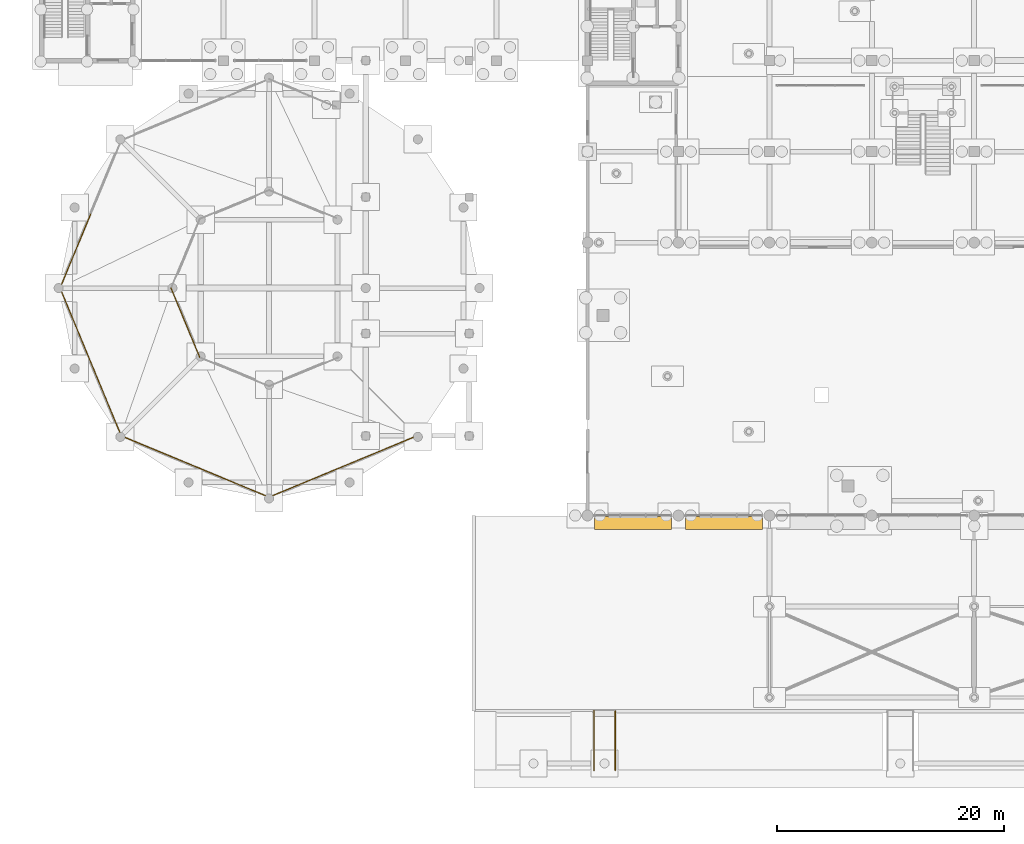
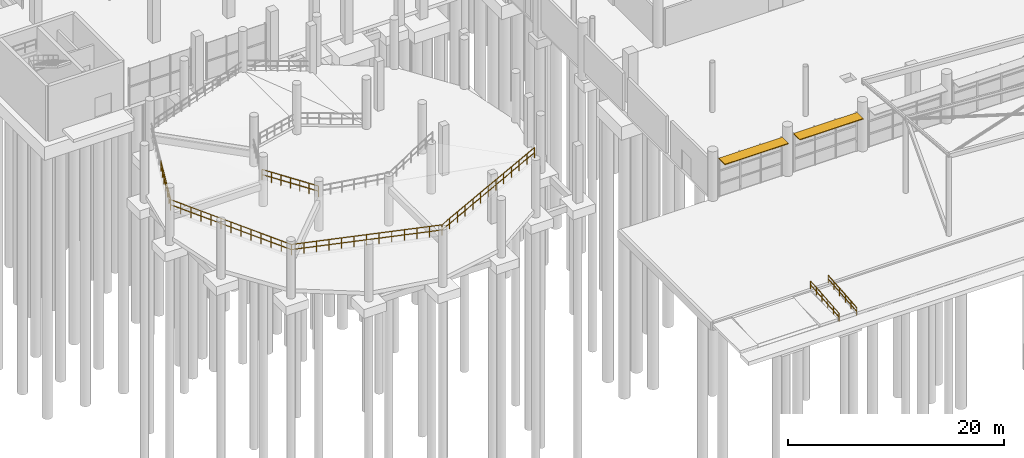
# One storey, part 88 of 98: 11 railings, 2 shading devices.
"""IFC4 building model written with IfcOpenShell, lengths in metres."""

from ifc_helpers import new_model, si_unit, derived_unit, direction, frame, origin, origin_2d, place, context, subcontext, project, spatial, rectangle, circle, extrude, material, material_profile, profile_set, type_object, element, save


model = new_model("IFC4")

# Units and contexts
model_context = context("Model", 3, precision=1e-05, world=origin(), true_north=direction((0.0, 1.0)))
body_context = subcontext(model_context, "Body", "Model", "MODEL_VIEW")
ifc_project = project(units=[si_unit("LENGTHUNIT", "METRE"), si_unit("AREAUNIT", "SQUARE_METRE"), si_unit("VOLUMEUNIT", "CUBIC_METRE"), si_unit("PLANEANGLEUNIT", "RADIAN"), si_unit("MASSUNIT", "GRAM", prefix="KILO"), si_unit("THERMODYNAMICTEMPERATUREUNIT", "KELVIN"), derived_unit("THERMALTRANSMITTANCEUNIT", [(si_unit("POWERUNIT", "WATT"), 1), (si_unit("AREAUNIT", "SQUARE_METRE"), -1), (si_unit("THERMODYNAMICTEMPERATUREUNIT", "KELVIN"), -1)])], contexts=[model_context])

# Site, building, storey
site_placement = place(None, origin())
site = spatial("IfcSite", under=ifc_project, at=site_placement, CompositionType="ELEMENT")
building_placement = place(site_placement, origin())
building = spatial("IfcBuilding", under=site, at=building_placement, Name="Haiyu Intermodal Mobility Hub", CompositionType="ELEMENT")
storey_placement = place(building_placement, origin())
storey = spatial("IfcBuildingStorey", under=building, at=storey_placement, Name="L00", CompositionType="ELEMENT", Elevation=0.0)

# Railings
ifc_material_1 = material(Name="Steel Q355C", Category="steel")
railing_type_1 = type_object("IfcRailingType", Name="RAL-GR01", PredefinedType="GUARDRAIL", material=ifc_material_1)
railing_1_placement = place(storey_placement, frame((18.31201171875, 66.498046875, 2.333984375)))
element("IfcRailing", 1, at=railing_1_placement, inside=storey, type_object=railing_type_1, Name="RAL-VRMP-O-L00-03B", PredefinedType="GUARDRAIL", context=body_context, shape_type="SweptSolid", body=[
    extrude(circle(Radius=0.02392578125, at=origin_2d()), frame((-0.011474609375, -0.027587890625, 1.177978515625), z_axis=(-0.381884238305, -0.921842090216, 0.066117994824), x_axis=(0.923863678282, -0.382721705618, 0.0)), (0.0, 0.0, 1.0), 6.989013671875),
    extrude(circle(Radius=0.02392578125, at=origin_2d()), frame((-0.01416015625, -0.034423828125, 0.6025390625), z_axis=(-0.381884238305, -0.921842090216, 0.066117994824), x_axis=(0.923863678282, -0.382721705618, 0.0)), (0.0, 0.0, 1.0), 1.100341796875),
    extrude(circle(Radius=0.02392578125, at=origin_2d()), frame((-0.462890625, -1.117431640625, 0.68017578125), z_axis=(-0.381884238305, -0.921842090216, 0.066117994824), x_axis=(0.923863678282, -0.382721705618, 0.0)), (0.0, 0.0, 1.0), 1.100341796875),
    extrude(circle(Radius=0.02392578125, at=origin_2d()), frame((-0.91162109375, -2.200439453125, 0.7578125), z_axis=(-0.381884238305, -0.921842090216, 0.066117994824), x_axis=(0.923863678282, -0.382721705618, 0.0)), (0.0, 0.0, 1.0), 1.100341796875),
    extrude(circle(Radius=0.02392578125, at=origin_2d()), frame((-1.360107421875, -3.283447265625, 0.83544921875), z_axis=(-0.381884238305, -0.921842090216, 0.066117994824), x_axis=(0.923863678282, -0.382721705618, 0.0)), (0.0, 0.0, 1.0), 1.100341796875),
    extrude(circle(Radius=0.02392578125, at=origin_2d()), frame((-1.808837890625, -4.366455078125, 0.9130859375), z_axis=(-0.381884238305, -0.921842090216, 0.066117994824), x_axis=(0.923863678282, -0.382721705618, 0.0)), (0.0, 0.0, 1.0), 1.100341796875),
    extrude(circle(Radius=0.02392578125, at=origin_2d()), frame((-2.257568359375, -5.449462890625, 0.99072265625), z_axis=(-0.381884238305, -0.921842090216, 0.066117994824), x_axis=(0.923863678282, -0.382721705618, 0.0)), (0.0, 0.0, 1.0), 1.100341796875),
    extrude(circle(Radius=0.02099609375, at=origin_2d()), origin(), (0.0, 0.0, 1.0), 1.143798828125),
    extrude(circle(Radius=0.02099609375, at=origin_2d()), frame((-0.44873046875, -1.0830078125, 0.07763671875)), (0.0, 0.0, 1.0), 1.143798828125),
    extrude(circle(Radius=0.02099609375, at=origin_2d()), frame((-0.897216796875, -2.166015625, 0.1552734375)), (0.0, 0.0, 1.0), 1.143798828125),
    extrude(circle(Radius=0.02099609375, at=origin_2d()), frame((-1.345947265625, -3.2490234375, 0.23291015625)), (0.0, 0.0, 1.0), 1.143798828125),
    extrude(circle(Radius=0.02099609375, at=origin_2d()), frame((-1.794677734375, -4.33203125, 0.310791015625)), (0.0, 0.0, 1.0), 1.143798828125),
    extrude(circle(Radius=0.02099609375, at=origin_2d()), frame((-2.2431640625, -5.4150390625, 0.388427734375)), (0.0, 0.0, 1.0), 1.143798828125),
    extrude(circle(Radius=0.02099609375, at=origin_2d()), frame((-2.69189453125, -6.498046875, 0.466064453125)), (0.0, 0.0, 1.0), 1.143798828125),
])
railing_2_placement = place(storey_placement, frame((15.6201171875, 60.0, 2.800048828125)))
element("IfcRailing", 2, at=railing_2_placement, inside=storey, type_object=railing_type_1, Name="RAL-VRMP-O-L00-04A", PredefinedType="GUARDRAIL", context=body_context, shape_type="SweptSolid", body=[
    extrude(circle(Radius=0.02392578125, at=origin_2d()), frame((0.011474609375, -0.027587890625, 1.177978515625), z_axis=(0.381884238305, -0.921842090216, 0.066117994824), x_axis=(0.923863678282, 0.382721705618, 0.0)), (0.0, 0.0, 1.0), 6.989013671875),
    extrude(circle(Radius=0.02392578125, at=origin_2d()), frame((0.01416015625, -0.034423828125, 0.6025390625), z_axis=(0.381884238305, -0.921842090216, 0.066117994824), x_axis=(0.923863678282, 0.382721705618, 0.0)), (0.0, 0.0, 1.0), 1.100341796875),
    extrude(circle(Radius=0.02392578125, at=origin_2d()), frame((0.462890625, -1.117431640625, 0.68017578125), z_axis=(0.381884238305, -0.921842090216, 0.066117994824), x_axis=(0.923863678282, 0.382721705618, 0.0)), (0.0, 0.0, 1.0), 1.100341796875),
    extrude(circle(Radius=0.02392578125, at=origin_2d()), frame((0.91162109375, -2.200439453125, 0.7578125), z_axis=(0.381884238305, -0.921842090216, 0.066117994824), x_axis=(0.923863678282, 0.382721705618, 0.0)), (0.0, 0.0, 1.0), 1.100341796875),
    extrude(circle(Radius=0.02392578125, at=origin_2d()), frame((1.360107421875, -3.283447265625, 0.83544921875), z_axis=(0.381884238305, -0.921842090216, 0.066117994824), x_axis=(0.923863678282, 0.382721705618, 0.0)), (0.0, 0.0, 1.0), 1.100341796875),
    extrude(circle(Radius=0.02392578125, at=origin_2d()), frame((1.808837890625, -4.366455078125, 0.9130859375), z_axis=(0.381884238305, -0.921842090216, 0.066117994824), x_axis=(0.923863678282, 0.382721705618, 0.0)), (0.0, 0.0, 1.0), 1.100341796875),
    extrude(circle(Radius=0.02392578125, at=origin_2d()), frame((2.257568359375, -5.449462890625, 0.99072265625), z_axis=(0.381884238305, -0.921842090216, 0.066117994824), x_axis=(0.923863678282, 0.382721705618, 0.0)), (0.0, 0.0, 1.0), 1.100341796875),
    extrude(circle(Radius=0.02099609375, at=origin_2d()), origin(), (0.0, 0.0, 1.0), 1.143798828125),
    extrude(circle(Radius=0.02099609375, at=origin_2d()), frame((0.44873046875, -1.0830078125, 0.07763671875)), (0.0, 0.0, 1.0), 1.143798828125),
    extrude(circle(Radius=0.02099609375, at=origin_2d()), frame((0.897216796875, -2.166015625, 0.1552734375)), (0.0, 0.0, 1.0), 1.143798828125),
    extrude(circle(Radius=0.02099609375, at=origin_2d()), frame((1.345947265625, -3.2490234375, 0.23291015625)), (0.0, 0.0, 1.0), 1.143798828125),
    extrude(circle(Radius=0.02099609375, at=origin_2d()), frame((1.794677734375, -4.33203125, 0.310791015625)), (0.0, 0.0, 1.0), 1.143798828125),
    extrude(circle(Radius=0.02099609375, at=origin_2d()), frame((2.2431640625, -5.4150390625, 0.388427734375)), (0.0, 0.0, 1.0), 1.143798828125),
    extrude(circle(Radius=0.02099609375, at=origin_2d()), frame((2.69189453125, -6.498046875, 0.466064453125)), (0.0, 0.0, 1.0), 1.143798828125),
])
railing_3_placement = place(storey_placement, frame((18.31201171875, 53.501953125, 3.26611328125)))
element("IfcRailing", 3, at=railing_3_placement, inside=storey, type_object=railing_type_1, Name="RAL-VRMP-O-L00-04B", PredefinedType="GUARDRAIL", context=body_context, shape_type="SweptSolid", body=[
    extrude(circle(Radius=0.02392578125, at=origin_2d()), frame((0.011474609375, -0.027587890625, 1.177978515625), z_axis=(0.381881612738, -0.921835752281, 0.066221444182), x_axis=(0.923863678282, 0.382721705618, 0.0)), (0.0, 0.0, 1.0), 6.989013671875),
    extrude(circle(Radius=0.02392578125, at=origin_2d()), frame((0.01416015625, -0.034423828125, 0.6025390625), z_axis=(0.381881612738, -0.921835752281, 0.066221444182), x_axis=(0.923863678282, 0.382721705618, 0.0)), (0.0, 0.0, 1.0), 1.100341796875),
    extrude(circle(Radius=0.02392578125, at=origin_2d()), frame((0.462890625, -1.117431640625, 0.68017578125), z_axis=(0.381881612738, -0.921835752281, 0.066221444182), x_axis=(0.923863678282, 0.382721705618, 0.0)), (0.0, 0.0, 1.0), 1.100341796875),
    extrude(circle(Radius=0.02392578125, at=origin_2d()), frame((0.91162109375, -2.200439453125, 0.758056640625), z_axis=(0.381881612738, -0.921835752281, 0.066221444182), x_axis=(0.923863678282, 0.382721705618, 0.0)), (0.0, 0.0, 1.0), 1.100341796875),
    extrude(circle(Radius=0.02392578125, at=origin_2d()), frame((1.360107421875, -3.283447265625, 0.8359375), z_axis=(0.381881612738, -0.921835752281, 0.066221444182), x_axis=(0.923863678282, 0.382721705618, 0.0)), (0.0, 0.0, 1.0), 1.100341796875),
    extrude(circle(Radius=0.02392578125, at=origin_2d()), frame((1.808837890625, -4.366455078125, 0.91357421875), z_axis=(0.381881612738, -0.921835752281, 0.066221444182), x_axis=(0.923863678282, 0.382721705618, 0.0)), (0.0, 0.0, 1.0), 1.100341796875),
    extrude(circle(Radius=0.02392578125, at=origin_2d()), frame((2.257568359375, -5.449462890625, 0.991455078125), z_axis=(0.381881612738, -0.921835752281, 0.066221444182), x_axis=(0.923863678282, 0.382721705618, 0.0)), (0.0, 0.0, 1.0), 1.100341796875),
    extrude(circle(Radius=0.02099609375, at=origin_2d()), origin(), (0.0, 0.0, 1.0), 1.143798828125),
    extrude(circle(Radius=0.02099609375, at=origin_2d()), frame((0.44873046875, -1.0830078125, 0.077880859375)), (0.0, 0.0, 1.0), 1.143798828125),
    extrude(circle(Radius=0.02099609375, at=origin_2d()), frame((0.897216796875, -2.166015625, 0.155517578125)), (0.0, 0.0, 1.0), 1.143798828125),
    extrude(circle(Radius=0.02099609375, at=origin_2d()), frame((1.345947265625, -3.2490234375, 0.2333984375)), (0.0, 0.0, 1.0), 1.143798828125),
    extrude(circle(Radius=0.02099609375, at=origin_2d()), frame((1.794677734375, -4.33203125, 0.311279296875)), (0.0, 0.0, 1.0), 1.143798828125),
    extrude(circle(Radius=0.02099609375, at=origin_2d()), frame((2.2431640625, -5.4150390625, 0.388916015625)), (0.0, 0.0, 1.0), 1.143798828125),
    extrude(circle(Radius=0.02099609375, at=origin_2d()), frame((2.69189453125, -6.498046875, 0.466796875)), (0.0, 0.0, 1.0), 1.143798828125),
])
railing_4_placement = place(storey_placement, frame((25.3798828125, 60.0, 2.800048828125)))
element("IfcRailing", 4, at=railing_4_placement, inside=storey, type_object=railing_type_1, Name="RAL-VRMP-I-L00-04A", PredefinedType="GUARDRAIL", context=body_context, shape_type="SweptSolid", body=[
    extrude(circle(Radius=0.02392578125, at=origin_2d()), frame((0.011474609375, -0.02734375, 1.18017578125), z_axis=(0.378829910007, -0.914833931612, 0.13988129559), x_axis=(0.923917630863, 0.382591441855, 0.0)), (0.0, 0.0, 1.0), 3.27197265625),
    extrude(circle(Radius=0.02392578125, at=origin_2d()), frame((0.01416015625, -0.0341796875, 0.605224609375), z_axis=(0.378829910007, -0.914833931612, 0.13988129559), x_axis=(0.923917630863, 0.382591441855, 0.0)), (0.0, 0.0, 1.0), 1.0361328125),
    extrude(circle(Radius=0.02392578125, at=origin_2d()), frame((0.434814453125, -1.050048828125, 0.760498046875), z_axis=(0.378829910007, -0.914833931612, 0.13988129559), x_axis=(0.923917630863, 0.382591441855, 0.0)), (0.0, 0.0, 1.0), 1.0361328125),
    extrude(circle(Radius=0.02392578125, at=origin_2d()), frame((0.855712890625, -2.066162109375, 0.916015625), z_axis=(0.378829910007, -0.914833931612, 0.13988129559), x_axis=(0.923917630863, 0.382591441855, 0.0)), (0.0, 0.0, 1.0), 1.0361328125),
    extrude(circle(Radius=0.02099609375, at=origin_2d()), origin(), (0.0, 0.0, 1.0), 1.143798828125),
    extrude(circle(Radius=0.02099609375, at=origin_2d()), frame((0.420654296875, -1.01611328125, 0.1552734375)), (0.0, 0.0, 1.0), 1.143798828125),
    extrude(circle(Radius=0.02099609375, at=origin_2d()), frame((0.841552734375, -2.031982421875, 0.310791015625)), (0.0, 0.0, 1.0), 1.143798828125),
    extrude(circle(Radius=0.02099609375, at=origin_2d()), frame((1.26220703125, -3.048095703125, 0.466064453125)), (0.0, 0.0, 1.0), 1.143798828125),
])
railing_5_placement = place(storey_placement, frame((26.64208984375, 56.951904296875, 3.26611328125)))
element("IfcRailing", 5, at=railing_5_placement, inside=storey, type_object=railing_type_1, Name="RAL-VRMP-I-L00-04B", PredefinedType="GUARDRAIL", context=body_context, shape_type="SweptSolid", body=[
    extrude(circle(Radius=0.02392578125, at=origin_2d()), frame((0.011474609375, -0.02734375, 1.18017578125), z_axis=(0.379133543119, -0.914669750267, 0.140132096355), x_axis=(0.923784904849, 0.382911803909, 0.0)), (0.0, 0.0, 1.0), 3.271240234375),
    extrude(circle(Radius=0.02392578125, at=origin_2d()), frame((0.01416015625, -0.0341796875, 0.605224609375), z_axis=(0.379133543119, -0.914669750267, 0.140132096355), x_axis=(0.923784904849, 0.382911803909, 0.0)), (0.0, 0.0, 1.0), 1.035888671875),
    extrude(circle(Radius=0.02392578125, at=origin_2d()), frame((0.43505859375, -1.0498046875, 0.7607421875), z_axis=(0.379133543119, -0.914669750267, 0.140132096355), x_axis=(0.923784904849, 0.382911803909, 0.0)), (0.0, 0.0, 1.0), 1.035888671875),
    extrude(circle(Radius=0.02392578125, at=origin_2d()), frame((0.856201171875, -2.0654296875, 0.91650390625), z_axis=(0.379133543119, -0.914669750267, 0.140132096355), x_axis=(0.923784904849, 0.382911803909, 0.0)), (0.0, 0.0, 1.0), 1.035888671875),
    extrude(circle(Radius=0.02099609375, at=origin_2d()), origin(), (0.0, 0.0, 1.0), 1.143798828125),
    extrude(circle(Radius=0.02099609375, at=origin_2d()), frame((0.4208984375, -1.015625, 0.155517578125)), (0.0, 0.0, 1.0), 1.143798828125),
    extrude(circle(Radius=0.02099609375, at=origin_2d()), frame((0.842041015625, -2.03125, 0.311279296875)), (0.0, 0.0, 1.0), 1.143798828125),
    extrude(circle(Radius=0.02099609375, at=origin_2d()), frame((1.262939453125, -3.046875, 0.466796875)), (0.0, 0.0, 1.0), 1.143798828125),
])
railing_6_placement = place(storey_placement, frame((21.00390625, 47.00390625, 3.73291015625)))
element("IfcRailing", 6, at=railing_6_placement, inside=storey, type_object=railing_type_1, Name="RAL-VRMP-O-L00-05A", PredefinedType="GUARDRAIL", context=body_context, shape_type="SweptSolid", body=[
    extrude(circle(Radius=0.02392578125, at=origin_2d()), frame((0.027587890625, -0.011474609375, 1.177978515625), z_axis=(0.921833637453, -0.381880736645, 0.066255926828), x_axis=(0.382721705618, 0.923863678282, 0.0)), (0.0, 0.0, 1.0), 6.989013671875),
    extrude(circle(Radius=0.02392578125, at=origin_2d()), frame((0.034423828125, -0.01416015625, 0.6025390625), z_axis=(0.921833637453, -0.381880736645, 0.066255926828), x_axis=(0.382721705618, 0.923863678282, 0.0)), (0.0, 0.0, 1.0), 1.100341796875),
    extrude(circle(Radius=0.02392578125, at=origin_2d()), frame((1.117431640625, -0.462890625, 0.68017578125), z_axis=(0.921833637453, -0.381880736645, 0.066255926828), x_axis=(0.382721705618, 0.923863678282, 0.0)), (0.0, 0.0, 1.0), 1.100341796875),
    extrude(circle(Radius=0.02392578125, at=origin_2d()), frame((2.200439453125, -0.91162109375, 0.758056640625), z_axis=(0.921833637453, -0.381880736645, 0.066255926828), x_axis=(0.382721705618, 0.923863678282, 0.0)), (0.0, 0.0, 1.0), 1.100341796875),
    extrude(circle(Radius=0.02392578125, at=origin_2d()), frame((3.283447265625, -1.360107421875, 0.8359375), z_axis=(0.921833637453, -0.381880736645, 0.066255926828), x_axis=(0.382721705618, 0.923863678282, 0.0)), (0.0, 0.0, 1.0), 1.100341796875),
    extrude(circle(Radius=0.02392578125, at=origin_2d()), frame((4.366455078125, -1.808837890625, 0.913818359375), z_axis=(0.921833637453, -0.381880736645, 0.066255926828), x_axis=(0.382721705618, 0.923863678282, 0.0)), (0.0, 0.0, 1.0), 1.100341796875),
    extrude(circle(Radius=0.02392578125, at=origin_2d()), frame((5.449462890625, -2.257568359375, 0.99169921875), z_axis=(0.921833637453, -0.381880736645, 0.066255926828), x_axis=(0.382721705618, 0.923863678282, 0.0)), (0.0, 0.0, 1.0), 1.100341796875),
    extrude(circle(Radius=0.02099609375, at=origin_2d()), origin(), (0.0, 0.0, 1.0), 1.143798828125),
    extrude(circle(Radius=0.02099609375, at=origin_2d()), frame((1.0830078125, -0.44873046875, 0.077880859375)), (0.0, 0.0, 1.0), 1.143798828125),
    extrude(circle(Radius=0.02099609375, at=origin_2d()), frame((2.166015625, -0.897216796875, 0.15576171875)), (0.0, 0.0, 1.0), 1.143798828125),
    extrude(circle(Radius=0.02099609375, at=origin_2d()), frame((3.2490234375, -1.345947265625, 0.2333984375)), (0.0, 0.0, 1.0), 1.143798828125),
    extrude(circle(Radius=0.02099609375, at=origin_2d()), frame((4.33203125, -1.794677734375, 0.311279296875)), (0.0, 0.0, 1.0), 1.143798828125),
    extrude(circle(Radius=0.02099609375, at=origin_2d()), frame((5.4150390625, -2.2431640625, 0.38916015625)), (0.0, 0.0, 1.0), 1.143798828125),
    extrude(circle(Radius=0.02099609375, at=origin_2d()), frame((6.498046875, -2.69189453125, 0.467041015625)), (0.0, 0.0, 1.0), 1.143798828125),
])
railing_7_placement = place(storey_placement, frame((27.501953125, 44.31201171875, 4.199951171875)))
element("IfcRailing", 7, at=railing_7_placement, inside=storey, type_object=railing_type_1, Name="RAL-VRMP-O-L00-05B", PredefinedType="GUARDRAIL", context=body_context, shape_type="SweptSolid", body=[
    extrude(circle(Radius=0.02392578125, at=origin_2d()), frame((0.027587890625, -0.011474609375, 1.177978515625), z_axis=(0.921833637453, -0.381880736645, 0.066255926828), x_axis=(0.382721705618, 0.923863678282, 0.0)), (0.0, 0.0, 1.0), 6.989013671875),
    extrude(circle(Radius=0.02392578125, at=origin_2d()), frame((0.034423828125, -0.01416015625, 0.6025390625), z_axis=(0.921833637453, -0.381880736645, 0.066255926828), x_axis=(0.382721705618, 0.923863678282, 0.0)), (0.0, 0.0, 1.0), 1.100341796875),
    extrude(circle(Radius=0.02392578125, at=origin_2d()), frame((1.117431640625, -0.462890625, 0.68017578125), z_axis=(0.921833637453, -0.381880736645, 0.066255926828), x_axis=(0.382721705618, 0.923863678282, 0.0)), (0.0, 0.0, 1.0), 1.100341796875),
    extrude(circle(Radius=0.02392578125, at=origin_2d()), frame((2.200439453125, -0.91162109375, 0.758056640625), z_axis=(0.921833637453, -0.381880736645, 0.066255926828), x_axis=(0.382721705618, 0.923863678282, 0.0)), (0.0, 0.0, 1.0), 1.100341796875),
    extrude(circle(Radius=0.02392578125, at=origin_2d()), frame((3.283447265625, -1.360107421875, 0.8359375), z_axis=(0.921833637453, -0.381880736645, 0.066255926828), x_axis=(0.382721705618, 0.923863678282, 0.0)), (0.0, 0.0, 1.0), 1.100341796875),
    extrude(circle(Radius=0.02392578125, at=origin_2d()), frame((4.366455078125, -1.808837890625, 0.913818359375), z_axis=(0.921833637453, -0.381880736645, 0.066255926828), x_axis=(0.382721705618, 0.923863678282, 0.0)), (0.0, 0.0, 1.0), 1.100341796875),
    extrude(circle(Radius=0.02392578125, at=origin_2d()), frame((5.449462890625, -2.257568359375, 0.99169921875), z_axis=(0.921833637453, -0.381880736645, 0.066255926828), x_axis=(0.382721705618, 0.923863678282, 0.0)), (0.0, 0.0, 1.0), 1.100341796875),
    extrude(circle(Radius=0.02099609375, at=origin_2d()), origin(), (0.0, 0.0, 1.0), 1.143798828125),
    extrude(circle(Radius=0.02099609375, at=origin_2d()), frame((1.0830078125, -0.44873046875, 0.077880859375)), (0.0, 0.0, 1.0), 1.143798828125),
    extrude(circle(Radius=0.02099609375, at=origin_2d()), frame((2.166015625, -0.897216796875, 0.15576171875)), (0.0, 0.0, 1.0), 1.143798828125),
    extrude(circle(Radius=0.02099609375, at=origin_2d()), frame((3.2490234375, -1.345947265625, 0.2333984375)), (0.0, 0.0, 1.0), 1.143798828125),
    extrude(circle(Radius=0.02099609375, at=origin_2d()), frame((4.33203125, -1.794677734375, 0.311279296875)), (0.0, 0.0, 1.0), 1.143798828125),
    extrude(circle(Radius=0.02099609375, at=origin_2d()), frame((5.4150390625, -2.2431640625, 0.38916015625)), (0.0, 0.0, 1.0), 1.143798828125),
    extrude(circle(Radius=0.02099609375, at=origin_2d()), frame((6.498046875, -2.69189453125, 0.467041015625)), (0.0, 0.0, 1.0), 1.143798828125),
])
railing_8_placement = place(storey_placement, frame((34.0, 41.6201171875, 4.6669921875)))
element("IfcRailing", 8, at=railing_8_placement, inside=storey, type_object=railing_type_1, Name="RAL-VRMP-O-L00-06A", PredefinedType="GUARDRAIL", context=body_context, shape_type="SweptSolid", body=[
    extrude(circle(Radius=0.02392578125, at=origin_2d()), frame((0.027587890625, 0.011474609375, 1.177978515625), z_axis=(0.921833637453, 0.381880736645, 0.066255926828), x_axis=(-0.382721705618, 0.923863678282, 0.0)), (0.0, 0.0, 1.0), 6.989013671875),
    extrude(circle(Radius=0.02392578125, at=origin_2d()), frame((0.034423828125, 0.01416015625, 0.6025390625), z_axis=(0.921833637453, 0.381880736645, 0.066255926828), x_axis=(-0.382721705618, 0.923863678282, 0.0)), (0.0, 0.0, 1.0), 1.100341796875),
    extrude(circle(Radius=0.02392578125, at=origin_2d()), frame((1.117431640625, 0.462890625, 0.68017578125), z_axis=(0.921833637453, 0.381880736645, 0.066255926828), x_axis=(-0.382721705618, 0.923863678282, 0.0)), (0.0, 0.0, 1.0), 1.100341796875),
    extrude(circle(Radius=0.02392578125, at=origin_2d()), frame((2.200439453125, 0.91162109375, 0.758056640625), z_axis=(0.921833637453, 0.381880736645, 0.066255926828), x_axis=(-0.382721705618, 0.923863678282, 0.0)), (0.0, 0.0, 1.0), 1.100341796875),
    extrude(circle(Radius=0.02392578125, at=origin_2d()), frame((3.283447265625, 1.360107421875, 0.8359375), z_axis=(0.921833637453, 0.381880736645, 0.066255926828), x_axis=(-0.382721705618, 0.923863678282, 0.0)), (0.0, 0.0, 1.0), 1.100341796875),
    extrude(circle(Radius=0.02392578125, at=origin_2d()), frame((4.366455078125, 1.808837890625, 0.913818359375), z_axis=(0.921833637453, 0.381880736645, 0.066255926828), x_axis=(-0.382721705618, 0.923863678282, 0.0)), (0.0, 0.0, 1.0), 1.100341796875),
    extrude(circle(Radius=0.02392578125, at=origin_2d()), frame((5.449462890625, 2.257568359375, 0.99169921875), z_axis=(0.921833637453, 0.381880736645, 0.066255926828), x_axis=(-0.382721705618, 0.923863678282, 0.0)), (0.0, 0.0, 1.0), 1.100341796875),
    extrude(circle(Radius=0.02099609375, at=origin_2d()), origin(), (0.0, 0.0, 1.0), 1.143798828125),
    extrude(circle(Radius=0.02099609375, at=origin_2d()), frame((1.0830078125, 0.44873046875, 0.077880859375)), (0.0, 0.0, 1.0), 1.143798828125),
    extrude(circle(Radius=0.02099609375, at=origin_2d()), frame((2.166015625, 0.897216796875, 0.15576171875)), (0.0, 0.0, 1.0), 1.143798828125),
    extrude(circle(Radius=0.02099609375, at=origin_2d()), frame((3.2490234375, 1.345947265625, 0.2333984375)), (0.0, 0.0, 1.0), 1.143798828125),
    extrude(circle(Radius=0.02099609375, at=origin_2d()), frame((4.33203125, 1.794677734375, 0.311279296875)), (0.0, 0.0, 1.0), 1.143798828125),
    extrude(circle(Radius=0.02099609375, at=origin_2d()), frame((5.4150390625, 2.2431640625, 0.38916015625)), (0.0, 0.0, 1.0), 1.143798828125),
    extrude(circle(Radius=0.02099609375, at=origin_2d()), frame((6.498046875, 2.69189453125, 0.467041015625)), (0.0, 0.0, 1.0), 1.143798828125),
])
railing_9_placement = place(storey_placement, frame((40.498046875, 44.31201171875, 5.134033203125)))
element("IfcRailing", 9, at=railing_9_placement, inside=storey, type_object=railing_type_1, Name="RAL-VRMP-O-L00-06B", PredefinedType="GUARDRAIL", context=body_context, shape_type="SweptSolid", body=[
    extrude(circle(Radius=0.02392578125, at=origin_2d()), frame((0.027587890625, 0.011474609375, 1.177978515625), z_axis=(0.921842090216, 0.381884238305, 0.066117994824), x_axis=(-0.382721705618, 0.923863678282, 0.0)), (0.0, 0.0, 1.0), 6.989013671875),
    extrude(circle(Radius=0.02392578125, at=origin_2d()), frame((0.034423828125, 0.01416015625, 0.6025390625), z_axis=(0.921842090216, 0.381884238305, 0.066117994824), x_axis=(-0.382721705618, 0.923863678282, 0.0)), (0.0, 0.0, 1.0), 1.100341796875),
    extrude(circle(Radius=0.02392578125, at=origin_2d()), frame((1.117431640625, 0.462890625, 0.68017578125), z_axis=(0.921842090216, 0.381884238305, 0.066117994824), x_axis=(-0.382721705618, 0.923863678282, 0.0)), (0.0, 0.0, 1.0), 1.100341796875),
    extrude(circle(Radius=0.02392578125, at=origin_2d()), frame((2.200439453125, 0.91162109375, 0.7578125), z_axis=(0.921842090216, 0.381884238305, 0.066117994824), x_axis=(-0.382721705618, 0.923863678282, 0.0)), (0.0, 0.0, 1.0), 1.100341796875),
    extrude(circle(Radius=0.02392578125, at=origin_2d()), frame((3.283447265625, 1.360107421875, 0.83544921875), z_axis=(0.921842090216, 0.381884238305, 0.066117994824), x_axis=(-0.382721705618, 0.923863678282, 0.0)), (0.0, 0.0, 1.0), 1.100341796875),
    extrude(circle(Radius=0.02392578125, at=origin_2d()), frame((4.366455078125, 1.808837890625, 0.9130859375), z_axis=(0.921842090216, 0.381884238305, 0.066117994824), x_axis=(-0.382721705618, 0.923863678282, 0.0)), (0.0, 0.0, 1.0), 1.100341796875),
    extrude(circle(Radius=0.02392578125, at=origin_2d()), frame((5.449462890625, 2.257568359375, 0.99072265625), z_axis=(0.921842090216, 0.381884238305, 0.066117994824), x_axis=(-0.382721705618, 0.923863678282, 0.0)), (0.0, 0.0, 1.0), 1.100341796875),
    extrude(circle(Radius=0.02099609375, at=origin_2d()), origin(), (0.0, 0.0, 1.0), 1.143798828125),
    extrude(circle(Radius=0.02099609375, at=origin_2d()), frame((1.0830078125, 0.44873046875, 0.07763671875)), (0.0, 0.0, 1.0), 1.143798828125),
    extrude(circle(Radius=0.02099609375, at=origin_2d()), frame((2.166015625, 0.897216796875, 0.1552734375)), (0.0, 0.0, 1.0), 1.143798828125),
    extrude(circle(Radius=0.02099609375, at=origin_2d()), frame((3.2490234375, 1.345947265625, 0.23291015625)), (0.0, 0.0, 1.0), 1.143798828125),
    extrude(circle(Radius=0.02099609375, at=origin_2d()), frame((4.33203125, 1.794677734375, 0.310791015625)), (0.0, 0.0, 1.0), 1.143798828125),
    extrude(circle(Radius=0.02099609375, at=origin_2d()), frame((5.4150390625, 2.2431640625, 0.388427734375)), (0.0, 0.0, 1.0), 1.143798828125),
    extrude(circle(Radius=0.02099609375, at=origin_2d()), frame((6.498046875, 2.69189453125, 0.466064453125)), (0.0, 0.0, 1.0), 1.143798828125),
])
railing_type_2 = type_object("IfcRailingType", Name="RAL-HR02", PredefinedType="HANDRAIL", material=ifc_material_1)
railing_10_placement = place(storey_placement, frame((62.56005859375, 17.56005859375, -0.449951171875)))
element("IfcRailing", 10, at=railing_10_placement, inside=storey, type_object=railing_type_2, Name="RAL-ACC-01-W", PredefinedType="HANDRAIL", context=body_context, shape_type="SweptSolid", body=[
    extrude(circle(Radius=0.02392578125, at=origin_2d()), frame((0.0, 0.02978515625, 0.87841796875), z_axis=(0.0, 0.99638864189, 0.084909801036), x_axis=(-1.0, 0.0, 0.0)), (0.0, 0.0, 1.0), 5.2392578125),
    extrude(circle(Radius=0.02392578125, at=origin_2d()), frame((0.0, 0.037109375, 0.453125), z_axis=(0.0, 0.99638864189, 0.084909801036), x_axis=(-1.0, 0.0, 0.0)), (0.0, 0.0, 1.0), 0.9853515625),
    extrude(circle(Radius=0.02392578125, at=origin_2d()), frame((0.0, 1.09326171875, 0.543212890625), z_axis=(0.0, 0.99638864189, 0.084909801036), x_axis=(-1.0, 0.0, 0.0)), (0.0, 0.0, 1.0), 0.9853515625),
    extrude(circle(Radius=0.02392578125, at=origin_2d()), frame((0.0, 2.149169921875, 0.633056640625), z_axis=(0.0, 0.99638864189, 0.084909801036), x_axis=(-1.0, 0.0, 0.0)), (0.0, 0.0, 1.0), 0.9853515625),
    extrude(circle(Radius=0.02392578125, at=origin_2d()), frame((0.0, 3.205078125, 0.72314453125), z_axis=(0.0, 0.99638864189, 0.084909801036), x_axis=(-1.0, 0.0, 0.0)), (0.0, 0.0, 1.0), 0.9853515625),
    extrude(circle(Radius=0.02392578125, at=origin_2d()), frame((0.0, 4.26123046875, 0.81298828125), z_axis=(0.0, 0.99638864189, 0.084909801036), x_axis=(-1.0, 0.0, 0.0)), (0.0, 0.0, 1.0), 0.9853515625),
    extrude(circle(Radius=0.02099609375, at=origin_2d()), origin(), (0.0, 0.0, 1.0), 0.84375),
    extrude(circle(Radius=0.02099609375, at=origin_2d()), frame((0.0, 1.055908203125, 0.090087890625)), (0.0, 0.0, 1.0), 0.84375),
    extrude(circle(Radius=0.02099609375, at=origin_2d()), frame((0.0, 2.112060546875, 0.179931640625)), (0.0, 0.0, 1.0), 0.84375),
    extrude(circle(Radius=0.02099609375, at=origin_2d()), frame((0.0, 3.16796875, 0.27001953125)), (0.0, 0.0, 1.0), 0.84375),
    extrude(circle(Radius=0.02099609375, at=origin_2d()), frame((0.0, 4.22412109375, 0.35986328125)), (0.0, 0.0, 1.0), 0.84375),
    extrude(circle(Radius=0.02099609375, at=origin_2d()), frame((0.0, 5.280029296875, 0.449951171875)), (0.0, 0.0, 1.0), 0.84375),
])
railing_11_placement = place(storey_placement, frame((64.43994140625, 17.56005859375, -0.449951171875)))
element("IfcRailing", 11, at=railing_11_placement, inside=storey, type_object=railing_type_2, Name="RAL-ACC-01-E", PredefinedType="HANDRAIL", context=body_context, shape_type="SweptSolid", body=[
    extrude(circle(Radius=0.02392578125, at=origin_2d()), frame((0.0, 0.02978515625, 0.87841796875), z_axis=(0.0, 0.99638864189, 0.084909801036), x_axis=(-1.0, 0.0, 0.0)), (0.0, 0.0, 1.0), 5.2392578125),
    extrude(circle(Radius=0.02392578125, at=origin_2d()), frame((0.0, 0.037109375, 0.453125), z_axis=(0.0, 0.99638864189, 0.084909801036), x_axis=(-1.0, 0.0, 0.0)), (0.0, 0.0, 1.0), 0.9853515625),
    extrude(circle(Radius=0.02392578125, at=origin_2d()), frame((0.0, 1.09326171875, 0.543212890625), z_axis=(0.0, 0.99638864189, 0.084909801036), x_axis=(-1.0, 0.0, 0.0)), (0.0, 0.0, 1.0), 0.9853515625),
    extrude(circle(Radius=0.02392578125, at=origin_2d()), frame((0.0, 2.149169921875, 0.633056640625), z_axis=(0.0, 0.99638864189, 0.084909801036), x_axis=(-1.0, 0.0, 0.0)), (0.0, 0.0, 1.0), 0.9853515625),
    extrude(circle(Radius=0.02392578125, at=origin_2d()), frame((0.0, 3.205078125, 0.72314453125), z_axis=(0.0, 0.99638864189, 0.084909801036), x_axis=(-1.0, 0.0, 0.0)), (0.0, 0.0, 1.0), 0.9853515625),
    extrude(circle(Radius=0.02392578125, at=origin_2d()), frame((0.0, 4.26123046875, 0.81298828125), z_axis=(0.0, 0.99638864189, 0.084909801036), x_axis=(-1.0, 0.0, 0.0)), (0.0, 0.0, 1.0), 0.9853515625),
    extrude(circle(Radius=0.02099609375, at=origin_2d()), origin(), (0.0, 0.0, 1.0), 0.84375),
    extrude(circle(Radius=0.02099609375, at=origin_2d()), frame((0.0, 1.055908203125, 0.090087890625)), (0.0, 0.0, 1.0), 0.84375),
    extrude(circle(Radius=0.02099609375, at=origin_2d()), frame((0.0, 2.112060546875, 0.179931640625)), (0.0, 0.0, 1.0), 0.84375),
    extrude(circle(Radius=0.02099609375, at=origin_2d()), frame((0.0, 3.16796875, 0.27001953125)), (0.0, 0.0, 1.0), 0.84375),
    extrude(circle(Radius=0.02099609375, at=origin_2d()), frame((0.0, 4.22412109375, 0.35986328125)), (0.0, 0.0, 1.0), 0.84375),
    extrude(circle(Radius=0.02099609375, at=origin_2d()), frame((0.0, 5.280029296875, 0.449951171875)), (0.0, 0.0, 1.0), 0.84375),
])

# Shading devices
ifc_material_2 = material(Name="Anodised aluminium 6063-T6", Category="aluminium")
ifc_material_profile = material_profile(ifc_material_2, rectangle(XDim=0.080078125, YDim=0.449951171875, at=origin_2d()), Name="FIN80x450")
ifc_profile_set = profile_set([ifc_material_profile], Name="Anodised aluminium 6063-T6")
shading_device_type = type_object("IfcShadingDeviceType", Name="SHD-SD01", PredefinedType="JALOUSIE", material=ifc_profile_set)
for number, where, z_axis, x_axis, name in (
    (12, (66.0, 39.35009765625, 4.3076171875), (0.0, 0.0, 1.0), (1.0, 0.0, 0.0), "SHD-V1S-001"),
    (13, (74.0, 39.35009765625, 4.3076171875), (0.0, 0.0, 1.0), (1.0, 0.0, 0.0), "SHD-V1S-002"),
):
    element("IfcShadingDevice", number, at=place(storey_placement, frame(where, z_axis=z_axis, x_axis=x_axis)), inside=storey, type_object=shading_device_type, Name=name, PredefinedType="JALOUSIE", context=body_context, shape_type="SweptSolid", body=[
        extrude(rectangle(XDim=6.800048828125, YDim=1.14990234375, at=origin_2d()), origin(), (0.0, 0.0, 1.0), 0.0849609375),
    ])

save(model, "model.ifc")
